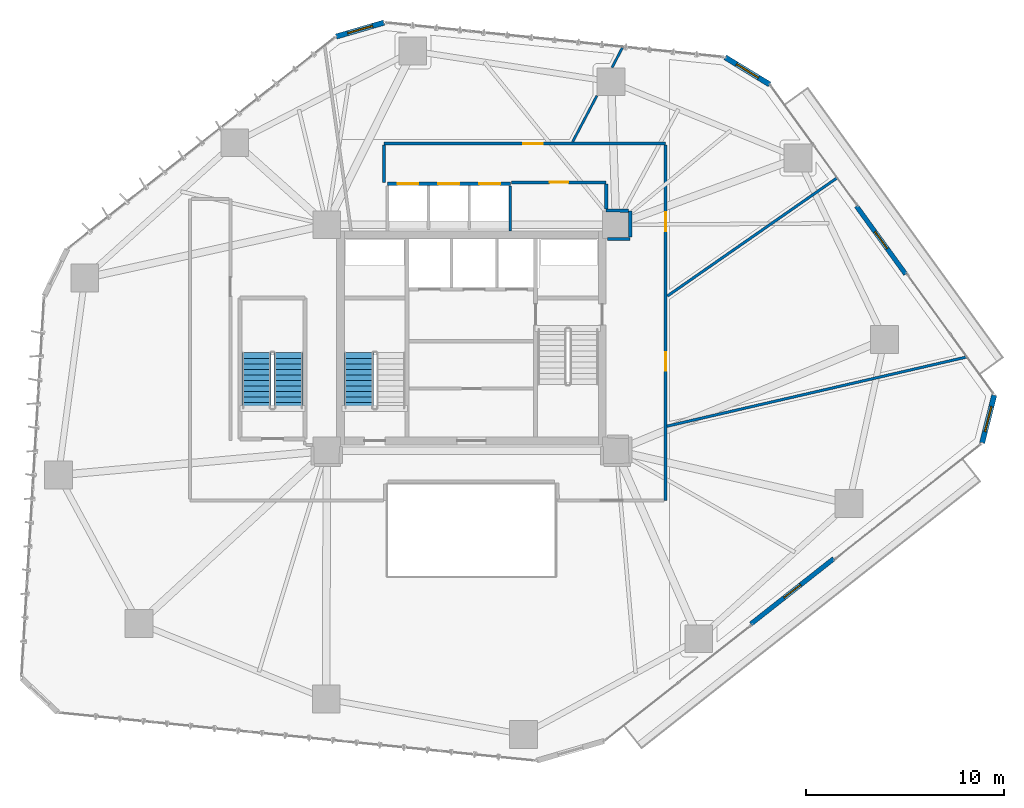
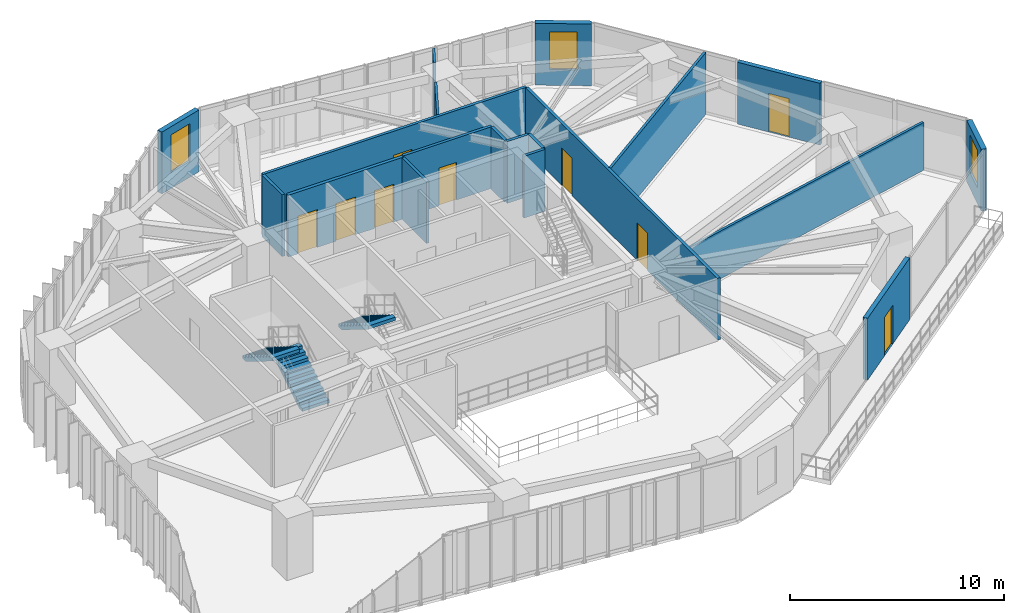
# One storey, part 20 of 24: 19 walls, 9 doors, 3 stair flights, 3 windows, 12 openings, 2 elements without a shape of their own.
"""IFC4 building model written with IfcOpenShell, lengths in metres."""

import ifcopenshell
import ifcopenshell.guid

model = None  # the IFC model being written
_history = None  # IfcOwnerHistory: only IFC2X3 demands one
_inside = {}  # id of a spatial element -> (the spatial element, [elements in it])
_under = {}  # id of a project, library or spatial element -> (it, [spatial elements below it])
_declared = {}  # id of a project -> (the project, [libraries it declares])
_typed = {}  # id of a type object -> (the type object, [elements of that type])
_made_of = {}  # id of a material, layer set ... -> (it, [elements and type objects made of it])


def new_model(schema):
    """Start an empty IFC model of exactly this schema.

    Asked for "IFC4X3", IfcOpenShell would pick the latest addendum, in which some entities
    have other attributes; the version numbers below select the first issue.
    IFC2X3 requires an IfcOwnerHistory on every rooted entity: one is made here for all.
    """
    global model, _history
    if schema == "IFC4X3":
        model = ifcopenshell.file(schema_version=(4, 3, 0, 0))
    else:
        model = ifcopenshell.file(schema=schema)
    _inside.clear()
    _under.clear()
    _declared.clear()
    _typed.clear()
    _made_of.clear()
    _history = None
    if model.schema == "IFC2X3":
        org = make("IfcOrganization", Name="unknown")
        user = make(
            "IfcPersonAndOrganization",
            ThePerson=make("IfcPerson", FamilyName="unknown"),
            TheOrganization=org,
        )
        app = make(
            "IfcApplication",
            ApplicationDeveloper=org,
            Version="unknown",
            ApplicationFullName="unknown",
            ApplicationIdentifier="unknown",
        )
        _history = make(
            "IfcOwnerHistory",
            OwningUser=user,
            OwningApplication=app,
            ChangeAction="ADDED",
            CreationDate=0,
        )
    return model


def make(cls, **values):
    """One entity of the class cls with the attributes given. An attribute that is None is left unset."""
    return model.create_entity(
        cls, **{name: value for name, value in values.items() if value is not None}
    )


def rooted(cls, **values):
    """An entity with a GlobalId (a new one), such as an element, a storey or a relation."""
    return make(cls, GlobalId=ifcopenshell.guid.new(), OwnerHistory=_history, **values)


def si_unit(unit_type, name, prefix=None):
    """IfcSIUnit, for example si_unit("LENGTHUNIT", "METRE", prefix="MILLI")."""
    return make("IfcSIUnit", UnitType=unit_type, Prefix=prefix, Name=name)


def assignment(units):
    """IfcUnitAssignment: the units of a project."""
    return None if units is None else make("IfcUnitAssignment", Units=units)


def point(xyz):
    """IfcCartesianPoint."""
    return None if xyz is None else make("IfcCartesianPoint", Coordinates=xyz)


def direction(xyz):
    """IfcDirection."""
    return None if xyz is None else make("IfcDirection", DirectionRatios=xyz)


def frame(location, z_axis=None, x_axis=None):
    """IfcAxis2Placement3D, a coordinate frame: its origin and axes. An axis left out is left unset."""
    return make(
        "IfcAxis2Placement3D",
        Location=point(location),
        Axis=direction(z_axis),
        RefDirection=direction(x_axis),
    )


def frame_2d(location, x_axis=None):
    """IfcAxis2Placement2D, a coordinate frame in the plane: its origin and x axis."""
    return make(
        "IfcAxis2Placement2D", Location=point(location), RefDirection=direction(x_axis)
    )


def origin():
    """The frame at (0, 0, 0) with its axes left unset."""
    return frame((0.0, 0.0, 0.0))


def place(relative_to, where):
    """IfcLocalPlacement: puts the frame where relative to a parent placement (None: the world)."""
    return make(
        "IfcLocalPlacement", PlacementRelTo=relative_to, RelativePlacement=where
    )


def context(
    kind, dimensions, precision=None, world=None, true_north=None, identifier=None
):
    """IfcGeometricRepresentationContext, for example the 3D "Model" context."""
    return make(
        "IfcGeometricRepresentationContext",
        ContextIdentifier=identifier,
        ContextType=kind,
        CoordinateSpaceDimension=dimensions,
        Precision=precision,
        WorldCoordinateSystem=world,
        TrueNorth=true_north,
    )


def subcontext(parent, identifier, kind, view, scale=None):
    """IfcGeometricRepresentationSubContext, for example "Body" below "Model"."""
    return make(
        "IfcGeometricRepresentationSubContext",
        ContextIdentifier=identifier,
        ContextType=kind,
        ParentContext=parent,
        TargetScale=scale,
        TargetView=view,
    )


def project(units=None, contexts=None):
    """IfcProject with its units and contexts."""
    return rooted(
        "IfcProject",
        Name="project",
        RepresentationContexts=contexts,
        UnitsInContext=assignment(units),
    )


def spatial(cls, under=None, at=None, **own):
    """A site, building, storey or space (cls), placed at a placement, below another one or the project."""
    s = rooted(cls, ObjectPlacement=at, **own)
    if under is not None:
        _under.setdefault(under.id(), (under, []))[1].append(s)
    return s


def polyline(points):
    """IfcPolyline through the points."""
    return make("IfcPolyline", Points=[point(p) for p in points])


def profile(cls, at=None, kind="AREA", **sizes):
    """A parametric profile (cls). Its sizes go by their IFC names, for example OverallWidth=200.0."""
    return make(cls, ProfileType=kind, Position=at, **sizes)


def rectangle(**sizes):
    """IfcRectangleProfileDef."""
    return profile("IfcRectangleProfileDef", **sizes)


def outline(outer, holes=None, kind="AREA"):
    """IfcArbitraryClosedProfileDef: a profile drawn as a closed curve; with holes, ...WithVoids."""
    if holes is None:
        return make("IfcArbitraryClosedProfileDef", ProfileType=kind, OuterCurve=outer)
    return make(
        "IfcArbitraryProfileDefWithVoids",
        ProfileType=kind,
        OuterCurve=outer,
        InnerCurves=holes,
    )


def extrude(swept, where, along, depth):
    """IfcExtrudedAreaSolid: the profile swept, set in the frame where, extruded along a direction by depth."""
    return make(
        "IfcExtrudedAreaSolid",
        SweptArea=swept,
        Position=where,
        ExtrudedDirection=direction(along),
        Depth=depth,
    )


def shape(context_of_items, identifier, shape_type, items):
    """IfcShapeRepresentation: the items that make up one representation, for example the "Body"."""
    return make(
        "IfcShapeRepresentation",
        ContextOfItems=context_of_items,
        RepresentationIdentifier=identifier,
        RepresentationType=shape_type,
        Items=items,
    )


def source(mapping_origin, context_of_items, identifier, shape_type, items):
    """IfcRepresentationMap: a shape defined once, which mapped items show again and again."""
    return make(
        "IfcRepresentationMap",
        MappingOrigin=mapping_origin,
        MappedRepresentation=shape(context_of_items, identifier, shape_type, items),
    )


def transform(
    local_origin,
    x_axis=None,
    y_axis=None,
    z_axis=None,
    scale=None,
    scale2=None,
    scale3=None,
    uniform=True,
):
    """IfcCartesianTransformationOperator3D, or its non-uniform kind. x_axis, y_axis, z_axis: its Axis1, 2, 3."""
    if uniform:
        return make(
            "IfcCartesianTransformationOperator3D",
            Axis1=direction(x_axis),
            Axis2=direction(y_axis),
            LocalOrigin=point(local_origin),
            Scale=scale,
            Axis3=direction(z_axis),
        )
    return make(
        "IfcCartesianTransformationOperator3DnonUniform",
        Axis1=direction(x_axis),
        Axis2=direction(y_axis),
        LocalOrigin=point(local_origin),
        Scale=scale,
        Axis3=direction(z_axis),
        Scale2=scale2,
        Scale3=scale3,
    )


def mapped(mapping_source, mapping_target):
    """IfcMappedItem: shows the shape of a source again, moved by a transform."""
    return make(
        "IfcMappedItem", MappingSource=mapping_source, MappingTarget=mapping_target
    )


def material(Name=None, Category=None):
    """IfcMaterial."""
    return make("IfcMaterial", Name=Name, Category=Category)


def layer(
    of_material, thickness, ventilated=None, Name=None, Category=None, Priority=None
):
    """IfcMaterialLayer: one layer of a wall or slab, of a material (None: an air gap)."""
    return make(
        "IfcMaterialLayer",
        Material=of_material,
        LayerThickness=thickness,
        IsVentilated=ventilated,
        Name=Name,
        Category=Category,
        Priority=Priority,
    )


def layer_set(layers, Name=None):
    """IfcMaterialLayerSet."""
    return make("IfcMaterialLayerSet", MaterialLayers=layers, LayerSetName=Name)


def made_of(thing, what):
    """Note that an element or type object is made of a material, layer set ...; save() writes the relation."""
    if what is not None:
        _made_of.setdefault(what.id(), (what, []))[1].append(thing)
    return thing


def type_object(cls, material=None, **own):
    """A type object (cls), such as IfcWallType, which elements share."""
    return made_of(rooted(cls, **own), material)


def type_shapes(of_type, sources):
    """Give a type object the sources (RepresentationMaps) that its elements show as mapped items."""
    of_type.RepresentationMaps = sources


def element(
    cls,
    number,
    at=None,
    inside=None,
    cuts=None,
    type_object=None,
    material=None,
    context=None,
    identifier="Body",
    shape_type=None,
    held_by="IfcProductDefinitionShape",
    body=None,
    shapes=None,
    **own,
):
    """One element of the class cls, such as IfcWall. Its Tag is "e" and its number.

    at: its placement. inside: the storey or other place that contains it. cuts: it is an
    opening in that element (IfcRelVoidsElement). A single representation is given by context,
    identifier, shape_type and body (its items); several are given by shapes. held_by: the class
    of the entity that holds the representations. save() writes the other relations.
    """
    e = rooted(cls, Tag="e%d" % number, ObjectPlacement=at, **own)
    if body is not None:
        shapes = [shape(context, identifier, shape_type, body)]
    if shapes is not None:
        e.Representation = make(held_by, Representations=shapes)
    if inside is not None:
        _inside.setdefault(inside.id(), (inside, []))[1].append(e)
    if cuts is not None:
        rooted(
            "IfcRelVoidsElement", RelatingBuildingElement=cuts, RelatedOpeningElement=e
        )
    if type_object is not None:
        _typed.setdefault(type_object.id(), (type_object, []))[1].append(e)
    return made_of(e, material)


def fill(opening, filler):
    """IfcRelFillsElement: the door or window that sits in an opening."""
    return rooted(
        "IfcRelFillsElement",
        RelatingOpeningElement=opening,
        RelatedBuildingElement=filler,
    )


def aggregate(whole, parts):
    """IfcRelAggregates: a whole, such as a stair, and the parts it consists of."""
    return rooted("IfcRelAggregates", RelatingObject=whole, RelatedObjects=parts)


def save(model, path):
    """Write the relations noted so far, then the file.

    IfcRelAggregates (storeys below a building ...), IfcRelContainedInSpatialStructure (elements
    in a storey), IfcRelDefinesByType, IfcRelAssociatesMaterial and IfcRelDeclares: one each for
    every whole, place, type object, material and project.
    """
    for whole, parts in _under.values():
        aggregate(whole, parts)
    for where, things in _inside.values():
        rooted(
            "IfcRelContainedInSpatialStructure",
            RelatedElements=things,
            RelatingStructure=where,
        )
    for kind, things in _typed.values():
        rooted("IfcRelDefinesByType", RelatedObjects=things, RelatingType=kind)
    for what, things in _made_of.values():
        rooted("IfcRelAssociatesMaterial", RelatedObjects=things, RelatingMaterial=what)
    for by, libraries in _declared.values():
        rooted("IfcRelDeclares", RelatingContext=by, RelatedDefinitions=libraries)
    model.write(path)


model = new_model("IFC4")

# Units and contexts
model_context = context("Model", 3, precision=1e-05, world=origin(), true_north=direction((0.0, 1.0)))
body_context = subcontext(model_context, "Body", "Model", "MODEL_VIEW")
ifc_project = project(units=[si_unit("LENGTHUNIT", "METRE"), si_unit("AREAUNIT", "SQUARE_METRE"), si_unit("VOLUMEUNIT", "CUBIC_METRE"), si_unit("PLANEANGLEUNIT", "RADIAN"), si_unit("MASSUNIT", "GRAM", prefix="KILO")], contexts=[model_context])

# Site, building, storey
site_placement = place(None, origin())
site = spatial("IfcSite", under=ifc_project, at=site_placement, CompositionType="ELEMENT")
building_placement = place(site_placement, origin())
building = spatial("IfcBuilding", under=site, at=building_placement, Name="Talar Marvaseh", CompositionType="ELEMENT")
storey_placement = place(building_placement, frame((0.0, 0.0, 73.39990234375)))
storey = spatial("IfcBuildingStorey", under=building, at=storey_placement, Name="L18", CompositionType="ELEMENT", Elevation=73.39990234375)

# Wall, opening, window
ifc_material_1 = material(Name="Precast concrete C45/55", Category="concrete")
ifc_layer_1 = layer(ifc_material_1, 0.27001953125)
ifc_layer_set_1 = layer_set([ifc_layer_1], Name="Precast concrete C45/55")
wall_type_1 = type_object("IfcWallType", Name="Chamfered Hexagonal Corner Pier Wall Z1 270", PredefinedType="SOLIDWALL", material=ifc_layer_set_1)
wall_1_placement = place(storey_placement, frame((19.181640625, 46.39697265625, 0.0), z_axis=(0.0, 0.0, 1.0), x_axis=(0.960045631621, 0.279843501273, 0.0)))
wall_1 = element("IfcWall", 1, at=wall_1_placement, inside=storey, type_object=wall_type_1, Name="L18 Chamfered Corner Limestone Pier 3", PredefinedType="SOLIDWALL", context=body_context, shape_type="SweptSolid", body=[
    extrude(rectangle(XDim=2.51611328125, YDim=0.27001953125, at=frame_2d((1.258056640625, 0.0))), origin(), (0.0, 0.0, 1.0), 3.52001953125),
])
opening_1_placement = place(wall_1_placement, frame((0.60791015625, 0.0, 0.89990234375)))
opening_1 = element("IfcOpeningElement", 2, at=opening_1_placement, cuts=wall_1, Name="Opening WN-CHM13", PredefinedType="OPENING", context=body_context, shape_type="SweptSolid", body=[
    extrude(rectangle(XDim=1.300048828125, YDim=2.14990234375, at=frame_2d((0.64990234375, 1.074951171875))), frame((0.0, 0.14501953125, 0.0), z_axis=(0.0, -1.0, 0.0), x_axis=(1.0, 0.0, 0.0)), (0.0, 0.0, 1.0), 0.2900390625),
])
ifc_material_2 = material(Name="Laminated Low-E Solar Glass", Category="glass")
window_type = type_object("IfcWindowType", Name="Zone 1 Chamfered Corner Slot Window 1300x2150", PartitioningType="SINGLE_PANEL", PredefinedType="WINDOW", material=ifc_material_2)
shared_shape_1 = source(origin(), body_context, "Body", "SweptSolid", [
    extrude(rectangle(XDim=1.300048828125, YDim=2.14990234375, at=frame_2d((0.64990234375, 1.074951171875))), frame((0.0, 0.030029296875, 0.0), z_axis=(0.0, -1.0, 0.0), x_axis=(1.0, 0.0, 0.0)), (0.0, 0.0, 1.0), 0.06005859375),
])
type_shapes(window_type, [shared_shape_1])
window_1_placement = place(opening_1_placement, origin())
window_1 = element("IfcWindow", 3, at=window_1_placement, inside=storey, type_object=window_type, Name="L18 Chamfered Corner Slot Window", OverallHeight=2.14990234375, OverallWidth=1.300048828125, PartitioningType="SINGLE_PANEL", PredefinedType="WINDOW", context=body_context, shape_type="MappedRepresentation", body=[
    mapped(shared_shape_1, transform((0.0, 0.0, 0.0), x_axis=(1.0, 0.0, 0.0), y_axis=(0.0, 1.0, 0.0), z_axis=(0.0, 0.0, 1.0), scale=1.0)),
])
fill(opening_1, window_1)

wall_2_placement = place(storey_placement, frame((38.803955078125, 45.34619140625, 0.0), z_axis=(0.0, 0.0, 1.0), x_axis=(0.853792139927, -0.520614043029, 0.0)))
wall_2 = element("IfcWall", 4, at=wall_2_placement, inside=storey, type_object=wall_type_1, Name="L18 Chamfered Corner Limestone Pier 4", PredefinedType="SOLIDWALL", context=body_context, shape_type="SweptSolid", body=[
    extrude(rectangle(XDim=2.623291015625, YDim=0.27001953125, at=frame_2d((1.3115234375, 0.0))), origin(), (0.0, 0.0, 1.0), 3.52001953125),
])
opening_2_placement = place(wall_2_placement, frame((0.662109375, 0.0, 0.89990234375)))
opening_2 = element("IfcOpeningElement", 5, at=opening_2_placement, cuts=wall_2, Name="Opening WN-CHM13", PredefinedType="OPENING", context=body_context, shape_type="SweptSolid", body=[
    extrude(rectangle(XDim=1.300048828125, YDim=2.14990234375, at=frame_2d((0.64990234375, 1.074951171875))), frame((0.0, 0.14501953125, 0.0), z_axis=(0.0, -1.0, 0.0), x_axis=(1.0, 0.0, 0.0)), (0.0, 0.0, 1.0), 0.2900390625),
])
window_2_placement = place(opening_2_placement, origin())
window_2 = element("IfcWindow", 6, at=window_2_placement, inside=storey, type_object=window_type, Name="L18 Chamfered Corner Slot Window", OverallHeight=2.14990234375, OverallWidth=1.300048828125, PartitioningType="SINGLE_PANEL", PredefinedType="WINDOW", context=body_context, shape_type="MappedRepresentation", body=[
    mapped(shared_shape_1, transform((0.0, 0.0, 0.0), x_axis=(1.0, 0.0, 0.0), y_axis=(0.0, 1.0, 0.0), z_axis=(0.0, 0.0, 1.0), scale=1.0)),
])
fill(opening_2, window_2)

wall_3_placement = place(storey_placement, frame((52.368896484375, 28.30859375, 0.0), z_axis=(0.0, 0.0, 1.0), x_axis=(-0.244916768004, -0.969544107687, 0.0)))
wall_3 = element("IfcWall", 7, at=wall_3_placement, inside=storey, type_object=wall_type_1, Name="L18 Chamfered Corner Limestone Pier 5", PredefinedType="SOLIDWALL", context=body_context, shape_type="SweptSolid", body=[
    extrude(rectangle(XDim=2.484130859375, YDim=0.27001953125, at=frame_2d((1.2421875, 0.0))), origin(), (0.0, 0.0, 1.0), 3.52001953125),
])
opening_3_placement = place(wall_3_placement, frame((0.592041015625, 0.0, 0.89990234375)))
opening_3 = element("IfcOpeningElement", 8, at=opening_3_placement, cuts=wall_3, Name="Opening WN-CHM13", PredefinedType="OPENING", context=body_context, shape_type="SweptSolid", body=[
    extrude(rectangle(XDim=1.300048828125, YDim=2.14990234375, at=frame_2d((0.64990234375, 1.074951171875))), frame((0.0, 0.14501953125, 0.0), z_axis=(0.0, -1.0, 0.0), x_axis=(1.0, 0.0, 0.0)), (0.0, 0.0, 1.0), 0.2900390625),
])
window_3_placement = place(opening_3_placement, origin())
window_3 = element("IfcWindow", 9, at=window_3_placement, inside=storey, type_object=window_type, Name="L18 Chamfered Corner Slot Window", OverallHeight=2.14990234375, OverallWidth=1.300048828125, PartitioningType="SINGLE_PANEL", PredefinedType="WINDOW", context=body_context, shape_type="MappedRepresentation", body=[
    mapped(shared_shape_1, transform((0.0, 0.0, 0.0), x_axis=(1.0, 0.0, 0.0), y_axis=(0.0, 1.0, 0.0), z_axis=(0.0, 0.0, 1.0), scale=1.0)),
])
fill(opening_3, window_3)

# Wall, opening, door
ifc_material_3 = material(Name="Gypsum Board Partition Assembly")
ifc_layer_2 = layer(ifc_material_3, 0.155029296875)
ifc_layer_set_2 = layer_set([ifc_layer_2], Name="Gypsum Board Partition Assembly")
wall_type_2 = type_object("IfcWallType", Name="Corridor Fire-Rated Acoustic Partition 155", PredefinedType="PARTITIONING", material=ifc_layer_set_2)
wall_4_placement = place(storey_placement, frame((32.800048828125, 39.0400390625, 0.0), z_axis=(0.0, 0.0, 1.0), x_axis=(-1.0, 0.0, 0.0)))
wall_4 = element("IfcWall", 10, at=wall_4_placement, inside=storey, type_object=wall_type_2, Name="L18 Interior Partition Wall", PredefinedType="PARTITIONING", context=body_context, shape_type="SweptSolid", body=[
    extrude(rectangle(XDim=4.77001953125, YDim=0.155029296875, at=frame_2d((2.385009765625, 0.0))), origin(), (0.0, 0.0, 1.0), 3.52001953125),
])
opening_4_placement = place(wall_4_placement, frame((1.909912109375, 0.0, 0.0)))
opening_4 = element("IfcOpeningElement", 11, at=opening_4_placement, cuts=wall_4, Name="Opening DR-WC095", PredefinedType="OPENING", context=body_context, shape_type="SweptSolid", body=[
    extrude(rectangle(XDim=0.949951171875, YDim=2.14990234375, at=frame_2d((0.47509765625, 1.074951171875))), frame((0.0, 0.08740234375, 0.0), z_axis=(0.0, -1.0, 0.0), x_axis=(1.0, 0.0, 0.0)), (0.0, 0.0, 1.0), 0.175048828125),
])
ifc_material_4 = material(Name="Acoustic Engineered Oak Timber", Category="wood")
door_type_1 = type_object("IfcDoorType", Name="Washroom and Service Room Door 950x2150", OperationType="NOTDEFINED", PredefinedType="DOOR", material=ifc_material_4)
shared_shape_2 = source(origin(), body_context, "Body", "SweptSolid", [
    extrude(rectangle(XDim=0.949951171875, YDim=2.14990234375, at=frame_2d((0.47509765625, 1.074951171875))), frame((0.0, 0.02490234375, 0.0), z_axis=(0.0, -1.0, 0.0), x_axis=(1.0, 0.0, 0.0)), (0.0, 0.0, 1.0), 0.050048828125),
])
type_shapes(door_type_1, [shared_shape_2])
door_1_placement = place(opening_4_placement, origin())
door_1 = element("IfcDoor", 12, at=door_1_placement, inside=storey, type_object=door_type_1, Name="L18 WC Public Washrooms Door", OperationType="SINGLE_SWING_RIGHT", OverallHeight=2.14990234375, OverallWidth=0.949951171875, PredefinedType="DOOR", context=body_context, shape_type="MappedRepresentation", body=[
    mapped(shared_shape_2, transform((0.0, 0.0, 0.0), x_axis=(1.0, 0.0, 0.0), y_axis=(0.0, 1.0, 0.0), z_axis=(0.0, 0.0, 1.0), scale=1.0)),
])
fill(opening_4, door_1)

wall_5_placement = place(storey_placement, frame((21.60009765625, 41.0, 0.0), z_axis=(0.0, 0.0, 1.0), x_axis=(1.0, 0.0, 0.0)))
wall_5 = element("IfcWall", 13, at=wall_5_placement, inside=storey, type_object=wall_type_2, Name="L18 Interior Partition Wall", PredefinedType="PARTITIONING", context=body_context, shape_type="SweptSolid", body=[
    extrude(rectangle(XDim=14.199951171875, YDim=0.155029296875, at=frame_2d((7.10009765625, 0.0))), origin(), (0.0, 0.0, 1.0), 3.52001953125),
])
opening_5_placement = place(wall_5_placement, frame((7.002685546875, 0.0, 0.0)))
opening_5 = element("IfcOpeningElement", 14, at=opening_5_placement, cuts=wall_5, Name="Opening DR-RM100", PredefinedType="OPENING", context=body_context, shape_type="SweptSolid", body=[
    extrude(rectangle(XDim=1.0, YDim=2.14990234375, at=frame_2d((0.5, 1.074951171875))), frame((0.0, 0.08740234375, 0.0), z_axis=(0.0, -1.0, 0.0), x_axis=(1.0, 0.0, 0.0)), (0.0, 0.0, 1.0), 0.175048828125),
])
door_type_2 = type_object("IfcDoorType", Name="Corridor Fire-Rated Gallery Door 1000x2150", OperationType="NOTDEFINED", PredefinedType="DOOR", material=ifc_material_4)
shared_shape_3 = source(origin(), body_context, "Body", "SweptSolid", [
    extrude(rectangle(XDim=1.0, YDim=2.14990234375, at=frame_2d((0.5, 1.074951171875))), frame((0.0, 0.02490234375, 0.0), z_axis=(0.0, -1.0, 0.0), x_axis=(1.0, 0.0, 0.0)), (0.0, 0.0, 1.0), 0.050048828125),
])
type_shapes(door_type_2, [shared_shape_3])
door_2_placement = place(opening_5_placement, origin())
door_2 = element("IfcDoor", 15, at=door_2_placement, inside=storey, type_object=door_type_2, Name="L18 Main Reading Room Door", OperationType="SINGLE_SWING_LEFT", OverallHeight=2.14990234375, OverallWidth=1.0, PredefinedType="DOOR", context=body_context, shape_type="MappedRepresentation", body=[
    mapped(shared_shape_3, transform((0.0, 0.0, 0.0), x_axis=(1.0, 0.0, 0.0), y_axis=(0.0, 1.0, 0.0), z_axis=(0.0, 0.0, 1.0), scale=1.0)),
])
fill(opening_5, door_2)

# Wall, openings, doors
wall_6_placement = place(storey_placement, frame((35.800048828125, 40.91650390625, 0.0), z_axis=(0.0, 0.0, 1.0), x_axis=(0.0, -1.0, 0.0)))
wall_6 = element("IfcWall", 16, at=wall_6_placement, inside=storey, type_object=wall_type_2, Name="L18 Interior Partition Wall", PredefinedType="PARTITIONING", context=body_context, shape_type="SweptSolid", body=[
    extrude(rectangle(XDim=17.91650390625, YDim=0.155029296875, at=frame_2d((8.958251953125, 0.0))), origin(), (0.0, 0.0, 1.0), 3.52001953125),
])
opening_6_placement = place(wall_6_placement, frame((10.434814453125, 0.0, 0.0)))
opening_6 = element("IfcOpeningElement", 17, at=opening_6_placement, cuts=wall_6, Name="Opening DR-WC095", PredefinedType="OPENING", context=body_context, shape_type="SweptSolid", body=[
    extrude(rectangle(XDim=0.949951171875, YDim=2.14990234375, at=frame_2d((0.47509765625, 1.074951171875))), frame((0.0, 0.08740234375, 0.0), z_axis=(0.0, -1.0, 0.0), x_axis=(1.0, 0.0, 0.0)), (0.0, 0.0, 1.0), 0.175048828125),
])
opening_7_placement = place(wall_6_placement, frame((3.38623046875, 0.0, 0.0)))
opening_7 = element("IfcOpeningElement", 18, at=opening_7_placement, cuts=wall_6, Name="Opening DR-WC095", PredefinedType="OPENING", context=body_context, shape_type="SweptSolid", body=[
    extrude(rectangle(XDim=0.949951171875, YDim=2.14990234375, at=frame_2d((0.47509765625, 1.074951171875))), frame((0.0, 0.08740234375, 0.0), z_axis=(0.0, -1.0, 0.0), x_axis=(1.0, 0.0, 0.0)), (0.0, 0.0, 1.0), 0.175048828125),
])
door_3_placement = place(opening_6_placement, origin())
door_3 = element("IfcDoor", 19, at=door_3_placement, inside=storey, type_object=door_type_1, Name="L18 Rare Books Archive Room Door", OperationType="SINGLE_SWING_RIGHT", OverallHeight=2.14990234375, OverallWidth=0.949951171875, PredefinedType="DOOR", context=body_context, shape_type="MappedRepresentation", body=[
    mapped(shared_shape_2, transform((0.0, 0.0, 0.0), x_axis=(1.0, 0.0, 0.0), y_axis=(0.0, 1.0, 0.0), z_axis=(0.0, 0.0, 1.0), scale=1.0)),
])
fill(opening_6, door_3)
door_4_placement = place(opening_7_placement, origin())
door_4 = element("IfcDoor", 20, at=door_4_placement, inside=storey, type_object=door_type_1, Name="L18 Accessible WC Block Door", OperationType="SINGLE_SWING_LEFT", OverallHeight=2.14990234375, OverallWidth=0.949951171875, PredefinedType="DOOR", context=body_context, shape_type="MappedRepresentation", body=[
    mapped(shared_shape_2, transform((0.0, 0.0, 0.0), x_axis=(1.0, 0.0, 0.0), y_axis=(0.0, 1.0, 0.0), z_axis=(0.0, 0.0, 1.0), scale=1.0)),
])
fill(opening_7, door_4)

# Walls
wall_7_placement = place(storey_placement, frame((32.8701171875, 36.18505859375, 0.0), z_axis=(0.0, 0.0, 1.0), x_axis=(0.999988932255, 0.00470482389, 0.0)))
element("IfcWall", 21, at=wall_7_placement, inside=storey, type_object=wall_type_2, Name="L18 Interior Partition Wall", PredefinedType="PARTITIONING", context=body_context, shape_type="SweptSolid", body=[
    extrude(rectangle(XDim=1.1416015625, YDim=0.155029296875, at=frame_2d((0.57080078125, 0.0))), origin(), (0.0, 0.0, 1.0), 3.52001953125),
])
wall_8_placement = place(storey_placement, frame((34.01171875, 36.27392578125, 0.0), z_axis=(0.0, 0.0, 1.0), x_axis=(0.0, 1.0, 0.0)))
element("IfcWall", 22, at=wall_8_placement, inside=storey, type_object=wall_type_2, Name="L18 Interior Partition Wall", PredefinedType="PARTITIONING", context=body_context, shape_type="SweptSolid", body=[
    extrude(rectangle(XDim=1.335693359375, YDim=0.155029296875, at=frame_2d((0.66796875, 0.0))), origin(), (0.0, 0.0, 1.0), 3.52001953125),
])
wall_9_placement = place(storey_placement, frame((33.927978515625, 37.60986328125, 0.0), z_axis=(0.0, 0.0, 1.0), x_axis=(-0.999989669582, 0.004545407589, 0.0)))
element("IfcWall", 23, at=wall_9_placement, inside=storey, type_object=wall_type_2, Name="L18 Interior Partition Wall", PredefinedType="PARTITIONING", context=body_context, shape_type="SweptSolid", body=[
    extrude(rectangle(XDim=1.1279296875, YDim=0.155029296875, at=frame_2d((0.56396484375, 0.0))), origin(), (0.0, 0.0, 1.0), 3.52001953125),
])
wall_10_placement = place(storey_placement, frame((32.800048828125, 37.698486328125, 0.0), z_axis=(0.0, 0.0, 1.0), x_axis=(0.0, 1.0, 0.0)))
element("IfcWall", 24, at=wall_10_placement, inside=storey, type_object=wall_type_2, Name="L18 Interior Partition Wall", PredefinedType="PARTITIONING", context=body_context, shape_type="SweptSolid", body=[
    extrude(rectangle(XDim=1.258056640625, YDim=0.155029296875, at=frame_2d((0.62890625, 0.0))), origin(), (0.0, 0.0, 1.0), 3.52001953125),
])
wall_11_placement = place(storey_placement, frame((21.60009765625, 39.0400390625, 0.0), z_axis=(0.0, 0.0, 1.0), x_axis=(0.0, 1.0, 0.0)))
element("IfcWall", 25, at=wall_11_placement, inside=storey, type_object=wall_type_2, Name="L18 Interior Partition Wall", PredefinedType="PARTITIONING", context=body_context, shape_type="SweptSolid", body=[
    extrude(rectangle(XDim=1.87646484375, YDim=0.155029296875, at=frame_2d((0.938232421875, 0.0))), origin(), (0.0, 0.0, 1.0), 3.52001953125),
])
ifc_layer_3 = layer(ifc_material_3, 0.1201171875)
ifc_layer_set_3 = layer_set([ifc_layer_3], Name="Gypsum Board Partition Assembly")
wall_type_3 = type_object("IfcWallType", Name="Demountable Studio Room Partition 120", PredefinedType="PARTITIONING", material=ifc_layer_set_3)
wall_12_placement = place(storey_placement, frame((31.10400390625, 41.08349609375, 0.0), z_axis=(0.0, 0.0, 1.0), x_axis=(0.466236131142, 0.884660313351, 0.0)))
element("IfcWall", 26, at=wall_12_placement, inside=storey, type_object=wall_type_3, Name="L18 Interior Partition Wall", PredefinedType="PARTITIONING", context=body_context, shape_type="SweptSolid", body=[
    extrude(rectangle(XDim=2.629638671875, YDim=0.1201171875, at=frame_2d((1.31494140625, 0.0))), origin(), (0.0, 0.0, 1.0), 3.52001953125),
])
wall_13_placement = place(storey_placement, frame((33.090087890625, 44.830078125, 0.0), z_axis=(0.0, 0.0, 1.0), x_axis=(0.463660451361, 0.8860129716, 0.0)))
element("IfcWall", 27, at=wall_13_placement, inside=storey, type_object=wall_type_3, Name="L18 Interior Partition Wall", PredefinedType="PARTITIONING", context=body_context, shape_type="SweptSolid", body=[
    extrude(rectangle(XDim=1.158447265625, YDim=0.1201171875, at=frame_2d((0.5791015625, 0.0))), origin(), (0.0, 0.0, 1.0), 3.52001953125),
])
ifc_layer_4 = layer(ifc_material_1, 0.14501953125)
ifc_layer_set_4 = layer_set([ifc_layer_4], Name="Precast concrete C45/55")
wall_type_4 = type_object("IfcWallType", Name="Fire-Rated Lift Divider Wall 145", PredefinedType="SOLIDWALL", material=ifc_layer_set_4)
wall_14_placement = place(storey_placement, frame((27.9599609375, 36.60009765625, 0.0), z_axis=(0.0, 0.0, 1.0), x_axis=(0.0, 1.0, 0.0)))
element("IfcWall", 28, at=wall_14_placement, inside=storey, type_object=wall_type_4, Name="L18 Low-Rise Bank East Wall", PredefinedType="SOLIDWALL", context=body_context, shape_type="SweptSolid", body=[
    extrude(rectangle(XDim=2.266357421875, YDim=0.14501953125, at=frame_2d((1.13330078125, 0.0))), origin(), (0.0, 0.0, 1.0), 3.52001953125),
])

# Wall, openings, doors
ifc_layer_5 = layer(ifc_material_1, 0.175048828125)
ifc_layer_set_5 = layer_set([ifc_layer_5], Name="Precast concrete C45/55")
wall_type_5 = type_object("IfcWallType", Name="Fire-Rated Lift Hoistway Enclosure Wall 175", PredefinedType="SOLIDWALL", material=ifc_layer_set_5)
wall_15_placement = place(storey_placement, frame((21.760009765625, 38.9599609375, 0.0), z_axis=(0.0, 0.0, 1.0), x_axis=(1.0, 0.0, 0.0)))
wall_15 = element("IfcWall", 29, at=wall_15_placement, inside=storey, type_object=wall_type_5, Name="L18 Low-Rise Lift Bank Front Wall", PredefinedType="SOLIDWALL", context=body_context, shape_type="SweptSolid", body=[
    extrude(rectangle(XDim=6.199951171875, YDim=0.175048828125, at=frame_2d((3.10009765625, 0.0))), origin(), (0.0, 0.0, 1.0), 3.52001953125),
])
opening_8_placement = place(wall_15_placement, frame((0.52001953125, 0.0, 0.0)))
opening_8 = element("IfcOpeningElement", 30, at=opening_8_placement, cuts=wall_15, Name="Opening LD-PLL1", PredefinedType="OPENING", context=body_context, shape_type="SweptSolid", body=[
    extrude(rectangle(XDim=1.050048828125, YDim=2.14990234375, at=frame_2d((0.52490234375, 1.074951171875))), frame((0.0, 0.09765625, 0.0), z_axis=(0.0, -1.0, 0.0), x_axis=(1.0, 0.0, 0.0)), (0.0, 0.0, 1.0), 0.195068359375),
])
opening_9_placement = place(wall_15_placement, frame((2.580078125, 0.0, 0.0)))
opening_9 = element("IfcOpeningElement", 31, at=opening_9_placement, cuts=wall_15, Name="Opening LD-PLL2", PredefinedType="OPENING", context=body_context, shape_type="SweptSolid", body=[
    extrude(rectangle(XDim=1.050048828125, YDim=2.14990234375, at=frame_2d((0.52490234375, 1.074951171875))), frame((0.0, 0.09765625, 0.0), z_axis=(0.0, -1.0, 0.0), x_axis=(1.0, 0.0, 0.0)), (0.0, 0.0, 1.0), 0.195068359375),
])
opening_10_placement = place(wall_15_placement, frame((4.639892578125, 0.0, 0.0)))
opening_10 = element("IfcOpeningElement", 32, at=opening_10_placement, cuts=wall_15, Name="Opening LD-PLL3", PredefinedType="OPENING", context=body_context, shape_type="SweptSolid", body=[
    extrude(rectangle(XDim=1.050048828125, YDim=2.14990234375, at=frame_2d((0.52490234375, 1.074951171875))), frame((0.0, 0.09765625, 0.0), z_axis=(0.0, -1.0, 0.0), x_axis=(1.0, 0.0, 0.0)), (0.0, 0.0, 1.0), 0.195068359375),
])
ifc_material_5 = material(Name="Stainless Steel Grade 316", Category="steel")
door_type_3 = type_object("IfcDoorType", Name="Automatic Sliding Lift Landing Door 1050x2150", OperationType="NOTDEFINED", PredefinedType="DOOR", material=ifc_material_5)
shared_shape_4 = source(origin(), body_context, "Body", "SweptSolid", [
    extrude(rectangle(XDim=1.050048828125, YDim=2.14990234375, at=frame_2d((0.52490234375, 1.074951171875))), frame((0.0, 0.02490234375, 0.0), z_axis=(0.0, -1.0, 0.0), x_axis=(1.0, 0.0, 0.0)), (0.0, 0.0, 1.0), 0.050048828125),
])
type_shapes(door_type_3, [shared_shape_4])
door_5_placement = place(opening_8_placement, origin())
door_5 = element("IfcDoor", 33, at=door_5_placement, inside=storey, type_object=door_type_3, Name="L18 Lift PL-L1 Sliding Landing Door", OperationType="SLIDING_TO_LEFT", OverallHeight=2.14990234375, OverallWidth=1.050048828125, PredefinedType="DOOR", context=body_context, shape_type="MappedRepresentation", body=[
    mapped(shared_shape_4, transform((0.0, 0.0, 0.0), x_axis=(1.0, 0.0, 0.0), y_axis=(0.0, 1.0, 0.0), z_axis=(0.0, 0.0, 1.0), scale=1.0)),
])
fill(opening_8, door_5)
door_6_placement = place(opening_9_placement, origin())
door_6 = element("IfcDoor", 34, at=door_6_placement, inside=storey, type_object=door_type_3, Name="L18 Lift PL-L2 Sliding Landing Door", OperationType="SLIDING_TO_LEFT", OverallHeight=2.14990234375, OverallWidth=1.050048828125, PredefinedType="DOOR", context=body_context, shape_type="MappedRepresentation", body=[
    mapped(shared_shape_4, transform((0.0, 0.0, 0.0), x_axis=(1.0, 0.0, 0.0), y_axis=(0.0, 1.0, 0.0), z_axis=(0.0, 0.0, 1.0), scale=1.0)),
])
fill(opening_9, door_6)
door_7_placement = place(opening_10_placement, origin())
door_7 = element("IfcDoor", 35, at=door_7_placement, inside=storey, type_object=door_type_3, Name="L18 Lift PL-L3 Sliding Landing Door", OperationType="SLIDING_TO_LEFT", OverallHeight=2.14990234375, OverallWidth=1.050048828125, PredefinedType="DOOR", context=body_context, shape_type="MappedRepresentation", body=[
    mapped(shared_shape_4, transform((0.0, 0.0, 0.0), x_axis=(1.0, 0.0, 0.0), y_axis=(0.0, 1.0, 0.0), z_axis=(0.0, 0.0, 1.0), scale=1.0)),
])
fill(opening_10, door_7)

# Walls
ifc_layer_6 = layer(ifc_material_3, 0.135009765625)
ifc_layer_set_6 = layer_set([ifc_layer_6], Name="Gypsum Board Partition Assembly")
wall_type_6 = type_object("IfcWallType", Name="Gallery High-Acoustic Partition 135", PredefinedType="PARTITIONING", material=ifc_layer_set_6)
wall_16_placement = place(storey_placement, frame((35.86328125, 26.74462890625, 0.0), z_axis=(0.0, 0.0, 1.0), x_axis=(0.974381643036, 0.224900897541, 0.0)))
element("IfcWall", 36, at=wall_16_placement, inside=storey, type_object=wall_type_6, Name="L18 Interior Partition Wall", PredefinedType="PARTITIONING", context=body_context, shape_type="SweptSolid", body=[
    extrude(rectangle(XDim=15.508056640625, YDim=0.135009765625, at=frame_2d((7.75390625, 0.0))), origin(), (0.0, 0.0, 1.0), 2.72216796875),
])
wall_17_placement = place(storey_placement, frame((35.883544921875, 33.30810546875, 0.0), z_axis=(0.0, 0.0, 1.0), x_axis=(0.820732761718, 0.571312290995, 0.0)))
element("IfcWall", 37, at=wall_17_placement, inside=storey, type_object=wall_type_6, Name="L18 Interior Partition Wall", PredefinedType="PARTITIONING", context=body_context, shape_type="SweptSolid", body=[
    extrude(rectangle(XDim=10.419677734375, YDim=0.135009765625, at=frame_2d((5.2099609375, 0.0))), origin(), (0.0, 0.0, 1.0), 3.52001953125),
])

# Wall, opening, door
ifc_layer_7 = layer(ifc_material_1, 0.235107421875)
ifc_layer_set_7 = layer_set([ifc_layer_7], Name="Precast concrete C45/55")
wall_type_7 = type_object("IfcWallType", Name="Terrace Threshold Glazed Spandrel Wall 235", PredefinedType="SOLIDWALL", material=ifc_layer_set_7)
wall_18_placement = place(storey_placement, frame((45.418701171875, 37.843017578125, 0.0), z_axis=(0.0, 0.0, 1.0), x_axis=(0.586413390659, -0.810011935255, 0.0)))
wall_18 = element("IfcWall", 38, at=wall_18_placement, inside=storey, type_object=wall_type_7, Name="L18 Terrace Threshold Wall", PredefinedType="SOLIDWALL", context=body_context, shape_type="SweptSolid", body=[
    extrude(rectangle(XDim=4.238525390625, YDim=0.235107421875, at=frame_2d((2.119140625, 0.0))), origin(), (0.0, 0.0, 1.0), 3.52001953125),
])
opening_11_placement = place(wall_18_placement, frame((1.593994140625, 0.0, 0.0)))
opening_11 = element("IfcOpeningElement", 39, at=opening_11_placement, cuts=wall_18, Name="Opening DR-TER10", PredefinedType="OPENING", context=body_context, shape_type="SweptSolid", body=[
    extrude(rectangle(XDim=1.050048828125, YDim=2.199951171875, at=frame_2d((0.52490234375, 1.10009765625))), frame((0.0, 0.12744140625, 0.0), z_axis=(0.0, -1.0, 0.0), x_axis=(1.0, 0.0, 0.0)), (0.0, 0.0, 1.0), 0.255126953125),
])
ifc_material_6 = material(Name="Architectural Aluminium", Category="aluminium")
door_type_4 = type_object("IfcDoorType", Name="External Terrace Weatherproof Glazed Door 1050x2200", OperationType="NOTDEFINED", PredefinedType="DOOR", material=ifc_material_6)
shared_shape_5 = source(origin(), body_context, "Body", "SweptSolid", [
    extrude(rectangle(XDim=1.050048828125, YDim=2.199951171875, at=frame_2d((0.52490234375, 1.10009765625))), frame((0.0, 0.02490234375, 0.0), z_axis=(0.0, -1.0, 0.0), x_axis=(1.0, 0.0, 0.0)), (0.0, 0.0, 1.0), 0.050048828125),
])
type_shapes(door_type_4, [shared_shape_5])
door_8_placement = place(opening_11_placement, origin())
door_8 = element("IfcDoor", 40, at=door_8_placement, inside=storey, type_object=door_type_4, Name="L18 External Planted Terrace Access Door", OperationType="SINGLE_SWING_LEFT", OverallHeight=2.199951171875, OverallWidth=1.050048828125, PredefinedType="DOOR", context=body_context, shape_type="MappedRepresentation", body=[
    mapped(shared_shape_5, transform((0.0, 0.0, 0.0), x_axis=(1.0, 0.0, 0.0), y_axis=(0.0, 1.0, 0.0), z_axis=(0.0, 0.0, 1.0), scale=1.0)),
])
fill(opening_11, door_8)

wall_19_placement = place(storey_placement, frame((44.281494140625, 20.066650390625, 0.0), z_axis=(0.0, 0.0, 1.0), x_axis=(-0.785419468755, -0.618963858476, 0.0)))
wall_19 = element("IfcWall", 41, at=wall_19_placement, inside=storey, type_object=wall_type_7, Name="L18 Terrace Threshold Wall", PredefinedType="SOLIDWALL", context=body_context, shape_type="SweptSolid", body=[
    extrude(rectangle(XDim=5.330078125, YDim=0.235107421875, at=frame_2d((2.6650390625, 0.0))), origin(), (0.0, 0.0, 1.0), 3.52001953125),
])
opening_12_placement = place(wall_19_placement, frame((2.139892578125, 0.0, 0.0)))
opening_12 = element("IfcOpeningElement", 42, at=opening_12_placement, cuts=wall_19, Name="Opening DR-TER10", PredefinedType="OPENING", context=body_context, shape_type="SweptSolid", body=[
    extrude(rectangle(XDim=1.050048828125, YDim=2.199951171875, at=frame_2d((0.52490234375, 1.10009765625))), frame((0.0, 0.12744140625, 0.0), z_axis=(0.0, -1.0, 0.0), x_axis=(1.0, 0.0, 0.0)), (0.0, 0.0, 1.0), 0.255126953125),
])
door_9_placement = place(opening_12_placement, origin())
door_9 = element("IfcDoor", 43, at=door_9_placement, inside=storey, type_object=door_type_4, Name="L18 External Planted Terrace Access Door", OperationType="SINGLE_SWING_RIGHT", OverallHeight=2.199951171875, OverallWidth=1.050048828125, PredefinedType="DOOR", context=body_context, shape_type="MappedRepresentation", body=[
    mapped(shared_shape_5, transform((0.0, 0.0, 0.0), x_axis=(1.0, 0.0, 0.0), y_axis=(0.0, 1.0, 0.0), z_axis=(0.0, 0.0, 1.0), scale=1.0)),
])
fill(opening_12, door_9)

# Stair, stair flight
ifc_material_7 = material(Name="Concrete C40/50", Category="concrete")
stair_type = type_object("IfcStairType", Name="Reinforced Concrete Half-Turn Exit Stair Type B", PredefinedType="HALF_TURN_STAIR", material=ifc_material_7)
stair_1_placement = place(storey_placement, origin())
stair_1 = element("IfcStair", 44, at=stair_1_placement, inside=storey, type_object=stair_type, Name="L18 Tower West Core Exit Stair", PredefinedType="HALF_TURN_STAIR")
ifc_layer_8 = layer(ifc_material_7, 0.159912109375)
ifc_layer_set_8 = layer_set([ifc_layer_8], Name="Concrete C40/50")
stair_flight_type = type_object("IfcStairFlightType", Name="Reinforced Concrete Straight Stair Flight 160", PredefinedType="STRAIGHT", material=ifc_layer_set_8)
stair_flight_1_placement = place(storey_placement, frame((20.324951171875, 30.449951171875, 1.900146484375), z_axis=(0.0, 0.0, 1.0), x_axis=(0.0, -1.0, 0.0)))
stair_flight_1 = element("IfcStairFlight", 45, at=stair_flight_1_placement, type_object=stair_flight_type, Name="ST-1 flight 2", NumberOfRisers=11, NumberOfTreads=10, PredefinedType="STRAIGHT", RiserHeight=0.172727273, TreadLength=0.28, context=body_context, shape_type="SweptSolid", body=[
    extrude(outline(polyline([(0.0, 0.0), (0.0, 0.172607421875), (0.280029296875, 0.172607421875), (0.280029296875, 0.345458984375), (0.56005859375, 0.345458984375), (0.56005859375, 0.51806640625), (0.840087890625, 0.51806640625), (0.840087890625, 0.69091796875), (1.1201171875, 0.69091796875), (1.1201171875, 0.863525390625), (1.39990234375, 0.863525390625), (1.39990234375, 1.036376953125), (1.679931640625, 1.036376953125), (1.679931640625, 1.208984375), (1.9599609375, 1.208984375), (1.9599609375, 1.3818359375), (2.239990234375, 1.3818359375), (2.239990234375, 1.554443359375), (2.52001953125, 1.554443359375), (2.52001953125, 1.727294921875), (2.800048828125, 1.727294921875), (2.800048828125, 1.89990234375), (2.800048828125, 1.539306640625), (0.3046875, 0.0), (0.0, 0.0)])), frame((0.0, 0.72509765625, 0.0), z_axis=(0.0, -1.0, 0.0), x_axis=(1.0, 0.0, 0.0)), (0.0, 0.0, 1.0), 1.449951171875),
])
aggregate(stair_1, [stair_flight_1])

# Stair, stair flights
stair_2_placement = place(storey_placement, origin())
stair_2 = element("IfcStair", 46, at=stair_2_placement, inside=storey, type_object=stair_type, Name="L18 Museum & Podium Auxiliary Exit Stair", PredefinedType="HALF_TURN_STAIR")
stair_flight_2_placement = place(storey_placement, frame((16.77490234375, 27.64990234375, 0.0), z_axis=(0.0, 0.0, 1.0), x_axis=(0.0, 1.0, 0.0)))
stair_flight_2 = element("IfcStairFlight", 47, at=stair_flight_2_placement, type_object=stair_flight_type, Name="ST-3 flight 1", NumberOfRisers=11, NumberOfTreads=10, PredefinedType="STRAIGHT", RiserHeight=0.172727273, TreadLength=0.28, context=body_context, shape_type="SweptSolid", body=[
    extrude(outline(polyline([(0.0, 0.0), (0.0, 0.172607421875), (0.280029296875, 0.172607421875), (0.280029296875, 0.345458984375), (0.56005859375, 0.345458984375), (0.56005859375, 0.51806640625), (0.840087890625, 0.51806640625), (0.840087890625, 0.69091796875), (1.1201171875, 0.69091796875), (1.1201171875, 0.863525390625), (1.39990234375, 0.863525390625), (1.39990234375, 1.036376953125), (1.679931640625, 1.036376953125), (1.679931640625, 1.208984375), (1.9599609375, 1.208984375), (1.9599609375, 1.3818359375), (2.239990234375, 1.3818359375), (2.239990234375, 1.554443359375), (2.52001953125, 1.554443359375), (2.52001953125, 1.727294921875), (2.800048828125, 1.727294921875), (2.800048828125, 1.89990234375), (2.800048828125, 1.539306640625), (0.3046875, 0.0), (0.0, 0.0)])), frame((0.0, 0.72509765625, 0.0), z_axis=(0.0, -1.0, 0.0), x_axis=(1.0, 0.0, 0.0)), (0.0, 0.0, 1.0), 1.449951171875),
])
stair_flight_3_placement = place(storey_placement, frame((15.1650390625, 30.449951171875, 1.900146484375), z_axis=(0.0, 0.0, 1.0), x_axis=(0.0, -1.0, 0.0)))
stair_flight_3 = element("IfcStairFlight", 48, at=stair_flight_3_placement, type_object=stair_flight_type, Name="ST-3 flight 2", NumberOfRisers=11, NumberOfTreads=10, PredefinedType="STRAIGHT", RiserHeight=0.172727273, TreadLength=0.28, context=body_context, shape_type="SweptSolid", body=[
    extrude(outline(polyline([(0.0, 0.0), (0.0, 0.172607421875), (0.280029296875, 0.172607421875), (0.280029296875, 0.345458984375), (0.56005859375, 0.345458984375), (0.56005859375, 0.51806640625), (0.840087890625, 0.51806640625), (0.840087890625, 0.69091796875), (1.1201171875, 0.69091796875), (1.1201171875, 0.863525390625), (1.39990234375, 0.863525390625), (1.39990234375, 1.036376953125), (1.679931640625, 1.036376953125), (1.679931640625, 1.208984375), (1.9599609375, 1.208984375), (1.9599609375, 1.3818359375), (2.239990234375, 1.3818359375), (2.239990234375, 1.554443359375), (2.52001953125, 1.554443359375), (2.52001953125, 1.727294921875), (2.800048828125, 1.727294921875), (2.800048828125, 1.89990234375), (2.800048828125, 1.539306640625), (0.3046875, 0.0), (0.0, 0.0)])), frame((0.0, 0.72509765625, 0.0), z_axis=(0.0, -1.0, 0.0), x_axis=(1.0, 0.0, 0.0)), (0.0, 0.0, 1.0), 1.449951171875),
])
aggregate(stair_2, [stair_flight_2, stair_flight_3])

save(model, "model.ifc")
